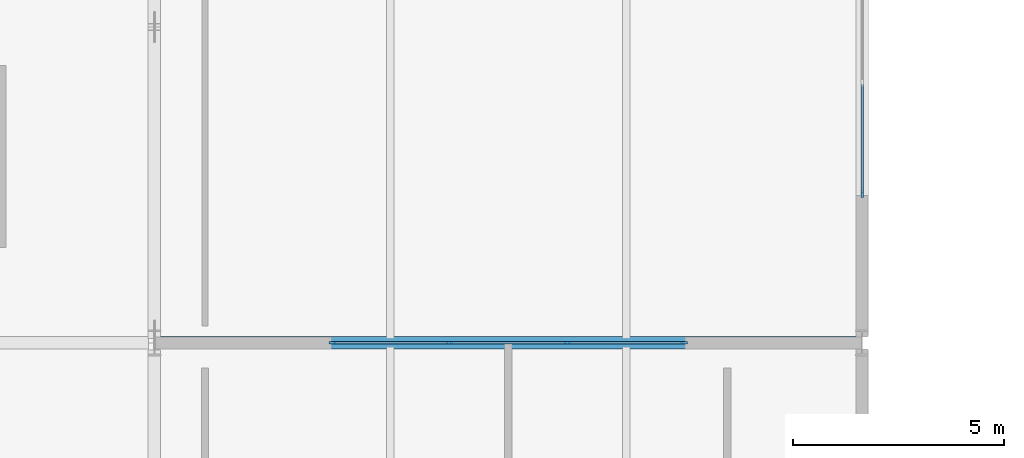
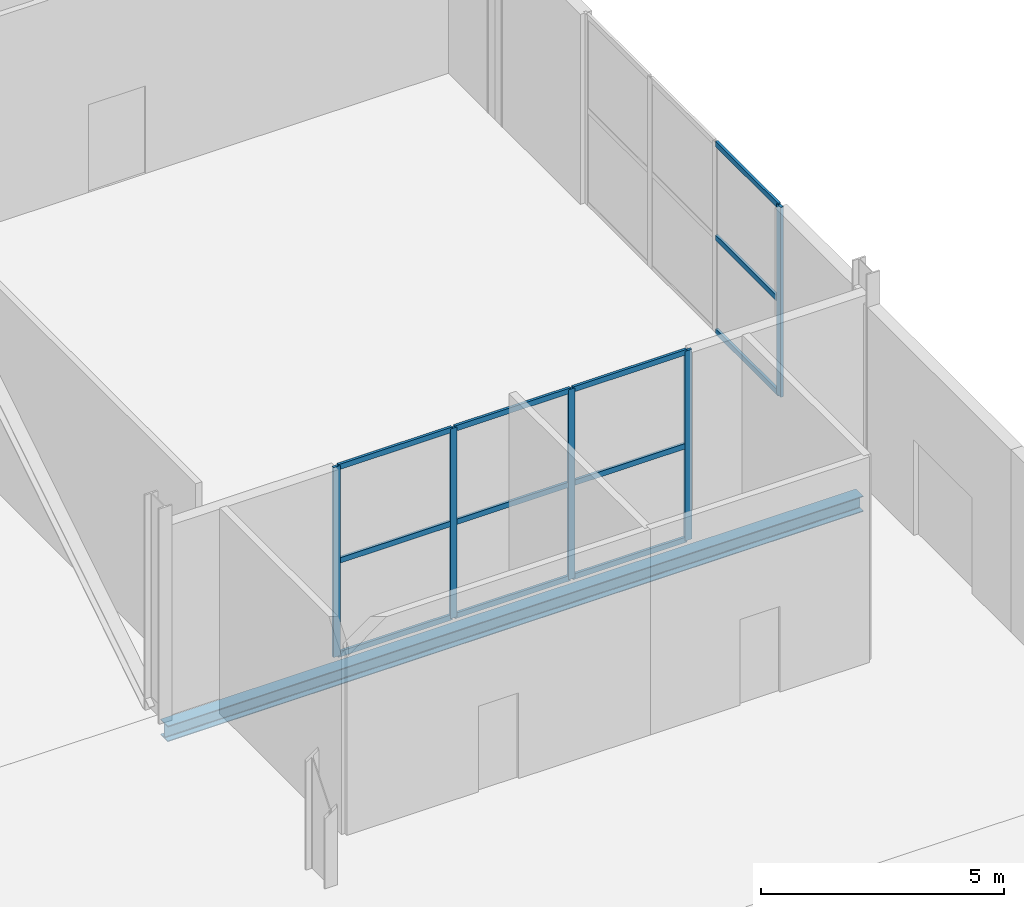
# One storey, part 49 of 87: 17 members, 1 beam, 2 elements without a shape of their own.
"""IFC4 building model written with IfcOpenShell, lengths in metres."""

from ifc_helpers import new_model, si_unit, direction, frame, origin, origin_2d, place, context, subcontext, project, spatial, rectangle, i_section, extrude, material, material_profile, profile_set, type_object, element, aggregate, save


model = new_model("IFC4")

# Units and contexts
model_context = context("Model", 3, precision=1e-05, world=origin(), true_north=direction((0.0, 1.0)))
body_context = subcontext(model_context, "Body", "Model", "MODEL_VIEW")
ifc_project = project(units=[si_unit("LENGTHUNIT", "METRE"), si_unit("AREAUNIT", "SQUARE_METRE"), si_unit("VOLUMEUNIT", "CUBIC_METRE"), si_unit("PLANEANGLEUNIT", "RADIAN"), si_unit("MASSUNIT", "GRAM", prefix="KILO")], contexts=[model_context])

# Site, building, storey
site_placement = place(None, origin())
site = spatial("IfcSite", under=ifc_project, at=site_placement, CompositionType="ELEMENT")
building_placement = place(site_placement, origin())
building = spatial("IfcBuilding", under=site, at=building_placement, Name="Kimbaza Rail Terminus", CompositionType="ELEMENT")
storey_placement = place(building_placement, origin())
storey = spatial("IfcBuildingStorey", under=building, at=storey_placement, Name="L00", CompositionType="ELEMENT", Elevation=0.0)

# Curtain wall, members
ifc_material_1 = material(Name="Anodised aluminium framing and solar low-E glazing", Category="aluminium")
curtain_wall_type = type_object("IfcCurtainWallType", Name="ARC-CW-OP1", PredefinedType="USERDEFINED", material=ifc_material_1)
curtain_wall_1_placement = place(storey_placement, origin())
curtain_wall_1 = element("IfcCurtainWall", 1, at=curtain_wall_1_placement, inside=storey, type_object=curtain_wall_type, Name="Operations South Curtain Wall L00 Bay 6", ObjectType="UNITISED CURTAIN WALL", PredefinedType="USERDEFINED")
ifc_material_2 = material(Name="Anodised architectural aluminium", Category="aluminium")
ifc_material_profile_1 = material_profile(ifc_material_2, rectangle(XDim=0.06201171875, YDim=0.1650390625, at=origin_2d()), Name="MULLION 62x165")
ifc_profile_set_1 = profile_set([ifc_material_profile_1], Name="Anodised architectural aluminium")
member_type_1 = type_object("IfcMemberType", Name="ARC-CWM-05", PredefinedType="MULLION", material=ifc_profile_set_1)
member_1_placement = place(storey_placement, frame((143.430908203125, 103.0, 0.0), z_axis=(0.0, 0.0, 1.0), x_axis=(0.0, 1.0, 0.0)))
member_1 = element("IfcMember", 2, at=member_1_placement, type_object=member_type_1, Name="CW-05 mullion 1", PredefinedType="MULLION", context=body_context, shape_type="SweptSolid", body=[
    extrude(rectangle(XDim=0.06201171875, YDim=0.1650390625, at=origin_2d()), origin(), (0.0, 0.0, 1.0), 4.764892578125),
])
member_2_placement = place(storey_placement, frame((146.199951171875, 103.0, 0.0), z_axis=(0.0, 0.0, 1.0), x_axis=(0.0, 1.0, 0.0)))
member_2 = element("IfcMember", 3, at=member_2_placement, type_object=member_type_1, Name="CW-05 mullion 2", PredefinedType="MULLION", context=body_context, shape_type="SweptSolid", body=[
    extrude(rectangle(XDim=0.06201171875, YDim=0.1650390625, at=origin_2d()), origin(), (0.0, 0.0, 1.0), 4.764892578125),
])
member_3_placement = place(storey_placement, frame((149.0, 103.0, 0.0), z_axis=(0.0, 0.0, 1.0), x_axis=(0.0, 1.0, 0.0)))
member_3 = element("IfcMember", 4, at=member_3_placement, type_object=member_type_1, Name="CW-05 mullion 3", PredefinedType="MULLION", context=body_context, shape_type="SweptSolid", body=[
    extrude(rectangle(XDim=0.06201171875, YDim=0.1650390625, at=origin_2d()), origin(), (0.0, 0.0, 1.0), 4.764892578125),
])
member_4_placement = place(storey_placement, frame((151.76904296875, 103.0, 0.0), z_axis=(0.0, 0.0, 1.0), x_axis=(0.0, 1.0, 0.0)))
member_4 = element("IfcMember", 5, at=member_4_placement, type_object=member_type_1, Name="CW-05 mullion 4", PredefinedType="MULLION", context=body_context, shape_type="SweptSolid", body=[
    extrude(rectangle(XDim=0.06201171875, YDim=0.1650390625, at=origin_2d()), origin(), (0.0, 0.0, 1.0), 4.764892578125),
])

# Curtain wall, member
curtain_wall_2_placement = place(storey_placement, origin())
curtain_wall_2 = element("IfcCurtainWall", 6, at=curtain_wall_2_placement, inside=storey, type_object=curtain_wall_type, Name="Operations E Curtain Wall L00.1", ObjectType="UNITISED CURTAIN WALL", PredefinedType="USERDEFINED")
member_5_placement = place(storey_placement, frame((156.0, 106.531005859375, 0.0), z_axis=(0.0, 0.0, 1.0), x_axis=(-1.0, 0.0, 0.0)))
member_5 = element("IfcMember", 7, at=member_5_placement, type_object=member_type_1, Name="CW-05 mullion 1", PredefinedType="MULLION", context=body_context, shape_type="SweptSolid", body=[
    extrude(rectangle(XDim=0.06201171875, YDim=0.1650390625, at=origin_2d()), origin(), (0.0, 0.0, 1.0), 4.764892578125),
])

# Member
ifc_material_3 = material(Name="Anodised architectural aluminium", Category="aluminium")
ifc_material_profile_2 = material_profile(ifc_material_3, rectangle(XDim=0.06201171875, YDim=0.135009765625, at=origin_2d()), Name="TRANSOM 62x135")
ifc_profile_set_2 = profile_set([ifc_material_profile_2], Name="Anodised architectural aluminium")
member_type_2 = type_object("IfcMemberType", Name="ARC-CWT-05", PredefinedType="USERDEFINED", material=ifc_profile_set_2)
member_6_placement = place(storey_placement, frame((143.4619140625, 103.0, 0.031005859375), z_axis=(1.0, 0.0, 0.0), x_axis=(0.0, 1.0, 0.0)))
member_6 = element("IfcMember", 8, at=member_6_placement, type_object=member_type_2, Name="CW-05 transom 1.1", ObjectType="TRANSOM", PredefinedType="USERDEFINED", context=body_context, shape_type="SweptSolid", body=[
    extrude(rectangle(XDim=0.06201171875, YDim=0.135009765625, at=origin_2d()), origin(), (0.0, 0.0, 1.0), 2.70703125),
])

member_7_placement = place(storey_placement, frame((143.4619140625, 103.0, 2.382568359375), z_axis=(1.0, 0.0, 0.0), x_axis=(0.0, 1.0, 0.0)))
member_7 = element("IfcMember", 9, at=member_7_placement, type_object=member_type_2, Name="CW-05 transom 1.2", ObjectType="TRANSOM", PredefinedType="USERDEFINED", context=body_context, shape_type="SweptSolid", body=[
    extrude(rectangle(XDim=0.06201171875, YDim=0.135009765625, at=origin_2d()), origin(), (0.0, 0.0, 1.0), 2.70703125),
])

member_8_placement = place(storey_placement, frame((143.4619140625, 103.0, 4.73388671875), z_axis=(1.0, 0.0, 0.0), x_axis=(0.0, 1.0, 0.0)))
member_8 = element("IfcMember", 10, at=member_8_placement, type_object=member_type_2, Name="CW-05 transom 1.3", ObjectType="TRANSOM", PredefinedType="USERDEFINED", context=body_context, shape_type="SweptSolid", body=[
    extrude(rectangle(XDim=0.06201171875, YDim=0.135009765625, at=origin_2d()), origin(), (0.0, 0.0, 1.0), 2.70703125),
])

member_9_placement = place(storey_placement, frame((146.23095703125, 103.0, 0.031005859375), z_axis=(1.0, 0.0, 0.0), x_axis=(0.0, 1.0, 0.0)))
member_9 = element("IfcMember", 11, at=member_9_placement, type_object=member_type_2, Name="CW-05 transom 2.1", ObjectType="TRANSOM", PredefinedType="USERDEFINED", context=body_context, shape_type="SweptSolid", body=[
    extrude(rectangle(XDim=0.06201171875, YDim=0.135009765625, at=origin_2d()), origin(), (0.0, 0.0, 1.0), 2.738037109375),
])

member_10_placement = place(storey_placement, frame((146.23095703125, 103.0, 2.382568359375), z_axis=(1.0, 0.0, 0.0), x_axis=(0.0, 1.0, 0.0)))
member_10 = element("IfcMember", 12, at=member_10_placement, type_object=member_type_2, Name="CW-05 transom 2.2", ObjectType="TRANSOM", PredefinedType="USERDEFINED", context=body_context, shape_type="SweptSolid", body=[
    extrude(rectangle(XDim=0.06201171875, YDim=0.135009765625, at=origin_2d()), origin(), (0.0, 0.0, 1.0), 2.738037109375),
])

member_11_placement = place(storey_placement, frame((146.23095703125, 103.0, 4.73388671875), z_axis=(1.0, 0.0, 0.0), x_axis=(0.0, 1.0, 0.0)))
member_11 = element("IfcMember", 13, at=member_11_placement, type_object=member_type_2, Name="CW-05 transom 2.3", ObjectType="TRANSOM", PredefinedType="USERDEFINED", context=body_context, shape_type="SweptSolid", body=[
    extrude(rectangle(XDim=0.06201171875, YDim=0.135009765625, at=origin_2d()), origin(), (0.0, 0.0, 1.0), 2.738037109375),
])

member_12_placement = place(storey_placement, frame((149.031005859375, 103.0, 0.031005859375), z_axis=(1.0, 0.0, 0.0), x_axis=(0.0, 1.0, 0.0)))
member_12 = element("IfcMember", 14, at=member_12_placement, type_object=member_type_2, Name="CW-05 transom 3.1", ObjectType="TRANSOM", PredefinedType="USERDEFINED", context=body_context, shape_type="SweptSolid", body=[
    extrude(rectangle(XDim=0.06201171875, YDim=0.135009765625, at=origin_2d()), origin(), (0.0, 0.0, 1.0), 2.70703125),
])

member_13_placement = place(storey_placement, frame((149.031005859375, 103.0, 2.382568359375), z_axis=(1.0, 0.0, 0.0), x_axis=(0.0, 1.0, 0.0)))
member_13 = element("IfcMember", 15, at=member_13_placement, type_object=member_type_2, Name="CW-05 transom 3.2", ObjectType="TRANSOM", PredefinedType="USERDEFINED", context=body_context, shape_type="SweptSolid", body=[
    extrude(rectangle(XDim=0.06201171875, YDim=0.135009765625, at=origin_2d()), origin(), (0.0, 0.0, 1.0), 2.70703125),
])

member_14_placement = place(storey_placement, frame((149.031005859375, 103.0, 4.73388671875), z_axis=(1.0, 0.0, 0.0), x_axis=(0.0, 1.0, 0.0)))
member_14 = element("IfcMember", 16, at=member_14_placement, type_object=member_type_2, Name="CW-05 transom 3.3", ObjectType="TRANSOM", PredefinedType="USERDEFINED", context=body_context, shape_type="SweptSolid", body=[
    extrude(rectangle(XDim=0.06201171875, YDim=0.135009765625, at=origin_2d()), origin(), (0.0, 0.0, 1.0), 2.70703125),
])

aggregate(curtain_wall_1, [member_1, member_2, member_3, member_4, member_6, member_7, member_8, member_9, member_10, member_11, member_12, member_13, member_14])

member_15_placement = place(storey_placement, frame((156.0, 106.56201171875, 0.031005859375), z_axis=(0.0, 1.0, 0.0), x_axis=(-1.0, 0.0, 0.0)))
member_15 = element("IfcMember", 17, at=member_15_placement, type_object=member_type_2, Name="CW-05 transom 1.1", ObjectType="TRANSOM", PredefinedType="USERDEFINED", context=body_context, shape_type="SweptSolid", body=[
    extrude(rectangle(XDim=0.06201171875, YDim=0.135009765625, at=origin_2d()), origin(), (0.0, 0.0, 1.0), 2.57373046875),
])

member_16_placement = place(storey_placement, frame((156.0, 106.56201171875, 2.382568359375), z_axis=(0.0, 1.0, 0.0), x_axis=(-1.0, 0.0, 0.0)))
member_16 = element("IfcMember", 18, at=member_16_placement, type_object=member_type_2, Name="CW-05 transom 1.2", ObjectType="TRANSOM", PredefinedType="USERDEFINED", context=body_context, shape_type="SweptSolid", body=[
    extrude(rectangle(XDim=0.06201171875, YDim=0.135009765625, at=origin_2d()), origin(), (0.0, 0.0, 1.0), 2.57373046875),
])

member_17_placement = place(storey_placement, frame((156.0, 106.56201171875, 4.73388671875), z_axis=(0.0, 1.0, 0.0), x_axis=(-1.0, 0.0, 0.0)))
member_17 = element("IfcMember", 19, at=member_17_placement, type_object=member_type_2, Name="CW-05 transom 1.3", ObjectType="TRANSOM", PredefinedType="USERDEFINED", context=body_context, shape_type="SweptSolid", body=[
    extrude(rectangle(XDim=0.06201171875, YDim=0.135009765625, at=origin_2d()), origin(), (0.0, 0.0, 1.0), 2.57373046875),
])

aggregate(curtain_wall_2, [member_5, member_15, member_16, member_17])

# Beam
ifc_material_4 = material(Name="Steel S355", Category="steel")
ifc_material_profile_3 = material_profile(ifc_material_4, i_section(OverallWidth=0.300048828125, OverallDepth=0.389892578125, WebThickness=0.010986328125, FlangeThickness=0.01904296875, FilletRadius=0.027099609375, at=origin_2d()), Name="HEA 400")
ifc_profile_set_3 = profile_set([ifc_material_profile_3], Name="Steel S355")
beam_type = type_object("IfcBeamType", Name="STR-BM-HEA400", PredefinedType="SPANDREL", material=ifc_profile_set_3)
beam_placement = place(storey_placement, frame((139.345947265625, 103.0, -0.445068359375), z_axis=(1.0, 0.0, 0.0), x_axis=(0.0, 1.0, 0.0)))
element("IfcBeam", 20, at=beam_placement, inside=storey, type_object=beam_type, Name="Operations Girder L00 X5-Y0", PredefinedType="SPANDREL", context=body_context, shape_type="SweptSolid", body=[
    extrude(i_section(OverallWidth=0.300048828125, OverallDepth=0.389892578125, WebThickness=0.010986328125, FlangeThickness=0.01904296875, FilletRadius=0.027099609375, at=origin_2d()), origin(), (0.0, 0.0, 1.0), 16.508056640625),
])

save(model, "model.ifc")
